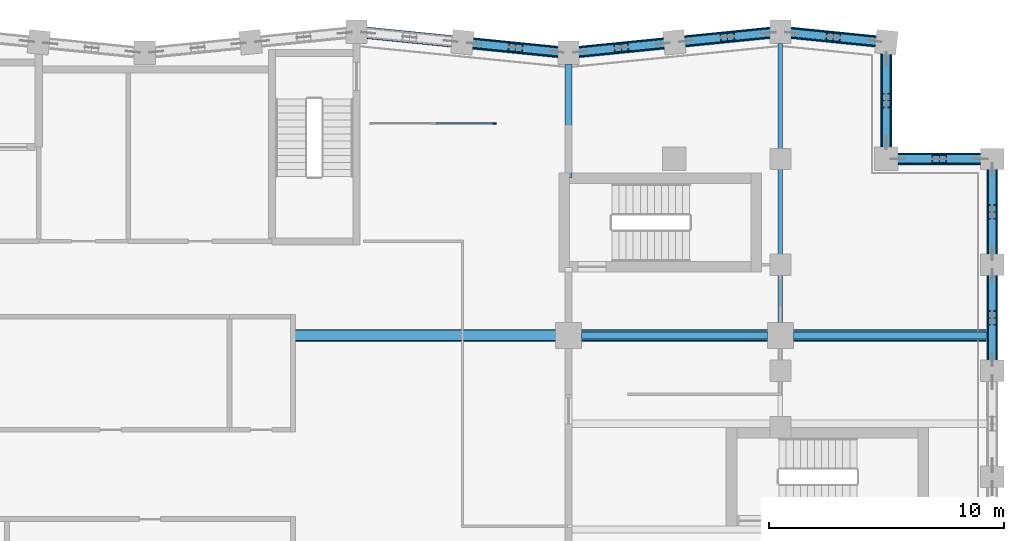
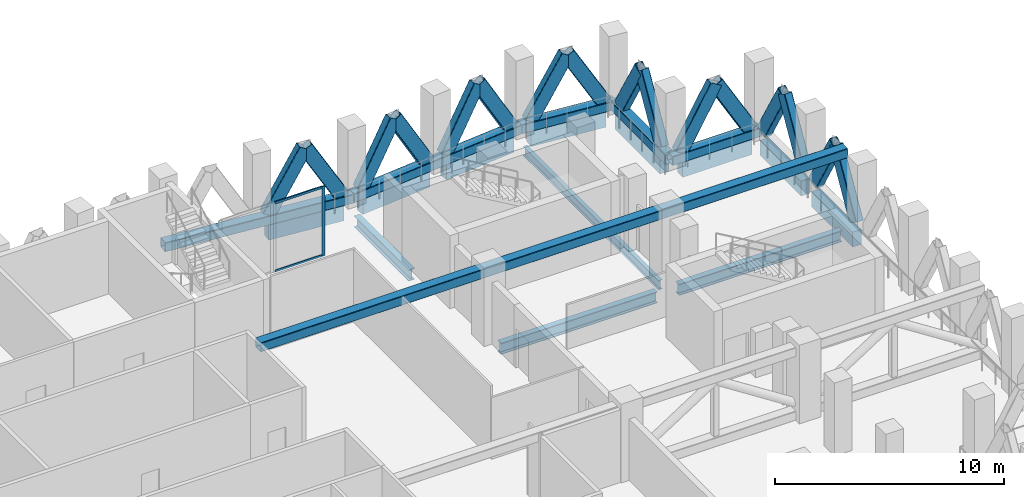
# One storey, part 7 of 18: 25 members, 12 beams, 1 element without a shape of its own.
"""IFC4 building model written with IfcOpenShell, lengths in metres."""

from ifc_helpers import new_model, si_unit, direction, frame, origin, origin_2d, place, context, subcontext, project, spatial, rectangle, hollow_rectangle, i_section, extrude, material, material_profile, profile_set, type_object, element, aggregate, save


model = new_model("IFC4")

# Units and contexts
model_context = context("Model", 3, precision=1e-05, world=origin(), true_north=direction((0.0, 1.0)))
body_context = subcontext(model_context, "Body", "Model", "MODEL_VIEW")
ifc_project = project(units=[si_unit("LENGTHUNIT", "METRE"), si_unit("AREAUNIT", "SQUARE_METRE"), si_unit("VOLUMEUNIT", "CUBIC_METRE"), si_unit("PLANEANGLEUNIT", "RADIAN"), si_unit("MASSUNIT", "GRAM", prefix="KILO")], contexts=[model_context])

# Site, building, storey
site_placement = place(None, origin())
site = spatial("IfcSite", under=ifc_project, at=site_placement, CompositionType="ELEMENT")
building_placement = place(site_placement, origin())
building = spatial("IfcBuilding", under=site, at=building_placement, Name="Brondeck Convention Tower", CompositionType="ELEMENT")
storey_placement = place(building_placement, frame((0.0, 0.0, 248.199951171875)))
storey = spatial("IfcBuildingStorey", under=building, at=storey_placement, Name="L61", CompositionType="ELEMENT", Elevation=248.199951171875)

# Curtain wall, members
ifc_material_1 = material(Name="Aluminium, bronze anodised", Category="aluminium")
curtain_wall_type = type_object("IfcCurtainWallType", Name="Band enclosure curtain wall", PredefinedType="NOTDEFINED", material=ifc_material_1)
curtain_wall_placement = place(storey_placement, origin())
curtain_wall = element("IfcCurtainWall", 1, at=curtain_wall_placement, inside=storey, type_object=curtain_wall_type, Name="ENV-L61-001-CW50", PredefinedType="NOTDEFINED")
ifc_material_profile_1 = material_profile(ifc_material_1, rectangle(XDim=0.06005859375, YDim=0.14990234375, at=origin_2d()), Name="CW5 mullion")
ifc_profile_set_1 = profile_set([ifc_material_profile_1], Name="Aluminium, bronze anodised")
member_type_1 = type_object("IfcMemberType", Name="CW5 mullion", PredefinedType="MULLION", material=ifc_profile_set_1)
member_1_placement = place(storey_placement, frame((32.85009765625, 60.0, 0.0), z_axis=(0.0, 0.0, 1.0), x_axis=(0.0, 1.0, 0.0)))
member_1 = element("IfcMember", 2, at=member_1_placement, type_object=member_type_1, Name="CW5 mullion 2", PredefinedType="MULLION", context=body_context, shape_type="SweptSolid", body=[
    extrude(rectangle(XDim=0.06005859375, YDim=0.14990234375, at=origin_2d()), origin(), (0.0, 0.0, 1.0), 3.699951171875),
])
ifc_material_profile_2 = material_profile(ifc_material_1, rectangle(XDim=0.06005859375, YDim=0.1201171875, at=origin_2d()), Name="CW5 transom")
ifc_profile_set_2 = profile_set([ifc_material_profile_2], Name="Aluminium, bronze anodised")
member_type_2 = type_object("IfcMemberType", Name="CW5 transom", PredefinedType="USERDEFINED", material=ifc_profile_set_2)
member_2_placement = place(storey_placement, frame((30.389892578125, 60.0, 0.030029296875), z_axis=(1.0, 0.0, 0.0), x_axis=(0.0, 1.0, 0.0)))
member_2 = element("IfcMember", 3, at=member_2_placement, type_object=member_type_2, Name="CW5 transom 1.1", ObjectType="TRANSOM", PredefinedType="USERDEFINED", context=body_context, shape_type="SweptSolid", body=[
    extrude(rectangle(XDim=0.06005859375, YDim=0.1201171875, at=origin_2d()), origin(), (0.0, 0.0, 1.0), 2.43017578125),
])
member_3_placement = place(storey_placement, frame((30.389892578125, 60.0, 3.670166015625), z_axis=(1.0, 0.0, 0.0), x_axis=(0.0, 1.0, 0.0)))
member_3 = element("IfcMember", 4, at=member_3_placement, type_object=member_type_2, Name="CW5 transom 1.2", ObjectType="TRANSOM", PredefinedType="USERDEFINED", context=body_context, shape_type="SweptSolid", body=[
    extrude(rectangle(XDim=0.06005859375, YDim=0.1201171875, at=origin_2d()), origin(), (0.0, 0.0, 1.0), 2.43017578125),
])
aggregate(curtain_wall, [member_1, member_2, member_3])

# Members
ifc_material_2 = material(Name="Steel S460", Category="steel")
ifc_material_profile_3 = material_profile(ifc_material_2, hollow_rectangle(XDim=0.39990234375, YDim=0.699951171875, WallThickness=0.030029296875, InnerFilletRadius=0.030029296875, OuterFilletRadius=0.06005859375, at=origin_2d()), Name="RHS 700x400x30")
ifc_profile_set_3 = profile_set([ifc_material_profile_3], Name="Steel S460")
member_type_3 = type_object("IfcMemberType", Name="Chevron brace RHS 700x400x30", PredefinedType="BRACE", material=ifc_profile_set_3)
for number, where, z_axis, x_axis, name in (
    (5, (54.0, 49.989013671875, 0.5), (0.0, 0.500008478926, 0.866020508419), (-1.0, 0.0, 0.0), "Belt truss BT-61-19 diagonal"),
    (6, (54.0, 53.510986328125, 0.5), (0.0, -0.500008478926, 0.866020508419), (1.0, 0.0, 0.0), "Belt truss BT-61-19 diagonal"),
    (7, (54.0, 54.489013671875, 0.5), (0.0, 0.500008478926, 0.866020508419), (-1.0, 0.0, 0.0), "Belt truss BT-61-20 diagonal"),
    (8, (54.0, 58.010986328125, 0.5), (0.0, -0.500008478926, 0.866020508419), (1.0, 0.0, 0.0), "Belt truss BT-61-20 diagonal"),
    (9, (53.510986328125, 58.5, 0.5), (-0.500008478926, 0.0, 0.866020508419), (0.0, -1.0, 0.0), "Belt truss BT-61-21 diagonal"),
    (10, (49.989013671875, 58.5, 0.5), (0.500008478926, 0.0, 0.866020508419), (0.0, 1.0, 0.0), "Belt truss BT-61-21 diagonal"),
    (11, (49.5, 59.214111328125, 0.5), (0.0, 0.500008478926, 0.866020508419), (-1.0, 0.0, 0.0), "Belt truss BT-61-22 diagonal"),
):
    element("IfcMember", number, at=place(storey_placement, frame(where, z_axis=z_axis, x_axis=x_axis)), inside=storey, type_object=member_type_3, Name=name, PredefinedType="BRACE", context=body_context, shape_type="SweptSolid", body=[
        extrude(hollow_rectangle(XDim=0.39990234375, YDim=0.699951171875, WallThickness=0.030029296875, InnerFilletRadius=0.030029296875, OuterFilletRadius=0.06005859375, at=origin_2d()), origin(), (0.0, 0.0, 1.0), 3.52197265625),
    ])
member_4_placement = place(storey_placement, frame((49.5, 62.73583984375, 0.5), z_axis=(0.0, -0.499956486466, 0.866050524878), x_axis=(1.0, 0.0, 0.0)))
element("IfcMember", 12, at=member_4_placement, inside=storey, type_object=member_type_3, Name="Belt truss BT-61-22 diagonal", PredefinedType="BRACE", context=body_context, shape_type="SweptSolid", body=[
    extrude(hollow_rectangle(XDim=0.39990234375, YDim=0.699951171875, WallThickness=0.030029296875, InnerFilletRadius=0.030029296875, OuterFilletRadius=0.06005859375, at=origin_2d()), origin(), (0.0, 0.0, 1.0), 3.521728515625),
])
for number, where, z_axis, x_axis, name in (
    (13, (49.002197265625, 63.499755859375, 0.5), (-0.497515949904, 0.049772391254, 0.866025743647), (-0.099544899705, -0.995033071281, 0.0), "Belt truss BT-61-23 diagonal"),
    (14, (45.497802734375, 63.85009765625, 0.5), (0.49751766528, -0.049703241745, 0.866028729601), (0.099407628771, 0.995046794549, 0.0), "Belt truss BT-61-23 diagonal"),
    (15, (44.502197265625, 63.85009765625, 0.5), (-0.49751766528, -0.049703241745, 0.866028729601), (0.099407628771, -0.995046794549, 0.0), "Belt truss BT-61-24 diagonal"),
    (16, (40.997802734375, 63.499755859375, 0.5), (0.497515949904, 0.049772391254, 0.866025743647), (-0.099544899705, 0.995033071281, 0.0), "Belt truss BT-61-24 diagonal"),
    (17, (40.002197265625, 63.400146484375, 0.5), (-0.49751766528, -0.049703241745, 0.866028729601), (0.099407628771, -0.995046794549, 0.0), "Belt truss BT-61-25 diagonal"),
    (18, (36.497802734375, 63.0498046875, 0.5), (0.497515949904, 0.049772391254, 0.866025743647), (-0.099544899705, 0.995033071281, 0.0), "Belt truss BT-61-25 diagonal"),
    (19, (35.502197265625, 63.0498046875, 0.5), (-0.497515949904, 0.049772391254, 0.866025743647), (-0.099544899705, -0.995033071281, 0.0), "Belt truss BT-61-26 diagonal"),
    (20, (31.997802734375, 63.400146484375, 0.5), (0.49751766528, -0.049703241745, 0.866028729601), (0.099407628771, 0.995046794549, 0.0), "Belt truss BT-61-26 diagonal"),
):
    element("IfcMember", number, at=place(storey_placement, frame(where, z_axis=z_axis, x_axis=x_axis)), inside=storey, type_object=member_type_3, Name=name, PredefinedType="BRACE", context=body_context, shape_type="SweptSolid", body=[
        extrude(hollow_rectangle(XDim=0.39990234375, YDim=0.699951171875, WallThickness=0.030029296875, InnerFilletRadius=0.030029296875, OuterFilletRadius=0.06005859375, at=origin_2d()), origin(), (0.0, 0.0, 1.0), 3.52197265625),
    ])

# Beams
ifc_material_3 = material(Name="Steel S355", Category="steel")
ifc_material_profile_4 = material_profile(ifc_material_3, i_section(OverallWidth=0.199951171875, OverallDepth=0.5, WebThickness=0.01025390625, FlangeThickness=0.01611328125, FilletRadius=0.02099609375, at=origin_2d()), Name="IPE 500")
ifc_profile_set_4 = profile_set([ifc_material_profile_4], Name="Steel S355")
beam_type_1 = type_object("IfcBeamType", Name="Floor beam IPE 500", PredefinedType="BEAM", material=ifc_profile_set_4)
beam_1_placement = place(storey_placement, frame((45.0, 51.550048828125, -0.699951171875), z_axis=(0.0, 1.0, 0.0), x_axis=(-1.0, 0.0, 0.0)))
element("IfcBeam", 21, at=beam_1_placement, inside=storey, type_object=beam_type_1, Name="STR-FB-L61-002", PredefinedType="BEAM", context=body_context, shape_type="SweptSolid", body=[
    extrude(i_section(OverallWidth=0.199951171875, OverallDepth=0.5, WebThickness=0.01025390625, FlangeThickness=0.01611328125, FilletRadius=0.02099609375, at=origin_2d()), origin(), (0.0, 0.0, 1.0), 11.849853515625),
])
ifc_material_profile_5 = material_profile(ifc_material_3, i_section(OverallWidth=0.300048828125, OverallDepth=0.60009765625, WebThickness=0.015380859375, FlangeThickness=0.030029296875, FilletRadius=0.027099609375, at=origin_2d()), Name="HEB 600")
ifc_profile_set_5 = profile_set([ifc_material_profile_5], Name="Steel S355")
beam_type_2 = type_object("IfcBeamType", Name="Girder HEB 600", PredefinedType="BEAM", material=ifc_profile_set_5)
beam_2_placement = place(storey_placement, frame((36.550048828125, 51.0, -0.75), z_axis=(1.0, 0.0, 0.0), x_axis=(0.0, 1.0, 0.0)))
element("IfcBeam", 22, at=beam_2_placement, inside=storey, type_object=beam_type_2, Name="STR-GR-L61-003", PredefinedType="BEAM", context=body_context, shape_type="SweptSolid", body=[
    extrude(i_section(OverallWidth=0.300048828125, OverallDepth=0.60009765625, WebThickness=0.015380859375, FlangeThickness=0.030029296875, FilletRadius=0.027099609375, at=origin_2d()), origin(), (0.0, 0.0, 1.0), 7.89990234375),
])
beam_3_placement = place(storey_placement, frame((45.550048828125, 51.0, -0.75), z_axis=(1.0, 0.0, 0.0), x_axis=(0.0, 1.0, 0.0)))
element("IfcBeam", 23, at=beam_3_placement, inside=storey, type_object=beam_type_2, Name="STR-GR-L61-004", PredefinedType="BEAM", context=body_context, shape_type="SweptSolid", body=[
    extrude(i_section(OverallWidth=0.300048828125, OverallDepth=0.60009765625, WebThickness=0.015380859375, FlangeThickness=0.030029296875, FilletRadius=0.027099609375, at=origin_2d()), origin(), (0.0, 0.0, 1.0), 8.224853515625),
])
beam_4_placement = place(storey_placement, frame((36.0, 57.719970703125, -0.75), z_axis=(0.0, 1.0, 0.0), x_axis=(-1.0, 0.0, 0.0)))
element("IfcBeam", 24, at=beam_4_placement, inside=storey, type_object=beam_type_2, Name="STR-GR-L61-008", PredefinedType="BEAM", context=body_context, shape_type="SweptSolid", body=[
    extrude(i_section(OverallWidth=0.300048828125, OverallDepth=0.60009765625, WebThickness=0.015380859375, FlangeThickness=0.030029296875, FilletRadius=0.027099609375, at=origin_2d()), origin(), (0.0, 0.0, 1.0), 4.780029296875),
])
ifc_material_4 = material(Name="Concrete C50/60", Category="concrete")
ifc_material_profile_6 = material_profile(ifc_material_4, rectangle(XDim=0.449951171875, YDim=0.800048828125, at=origin_2d()), Name="Precast spandrel 450x800 Concrete C50/60")
ifc_profile_set_6 = profile_set([ifc_material_profile_6], Name="Concrete C50/60")
beam_type_3 = type_object("IfcBeamType", Name="Precast spandrel 450x800 Concrete C50/60", PredefinedType="SPANDREL", material=ifc_profile_set_6)
for number, where, z_axis, x_axis, name in (
    (25, (54.0, 49.949951171875, -0.39990234375), (0.0, 1.0, 0.0), (-1.0, 0.0, 0.0), "STR-SP-L61-019"),
    (26, (54.0, 54.449951171875, -0.39990234375), (0.0, 1.0, 0.0), (-1.0, 0.0, 0.0), "STR-SP-L61-020"),
):
    element("IfcBeam", number, at=place(storey_placement, frame(where, z_axis=z_axis, x_axis=x_axis)), inside=storey, type_object=beam_type_3, Name=name, PredefinedType="SPANDREL", context=body_context, shape_type="SweptSolid", body=[
        extrude(rectangle(XDim=0.449951171875, YDim=0.800048828125, at=origin_2d()), origin(), (0.0, 0.0, 1.0), 3.60009765625),
    ])
beam_5_placement = place(storey_placement, frame((53.5, 58.5, -0.39990234375), z_axis=(-1.0, 0.0, 0.0), x_axis=(0.0, -1.0, 0.0)))
element("IfcBeam", 27, at=beam_5_placement, inside=storey, type_object=beam_type_3, Name="STR-SP-L61-021", PredefinedType="SPANDREL", context=body_context, shape_type="SweptSolid", body=[
    extrude(rectangle(XDim=0.449951171875, YDim=0.800048828125, at=origin_2d()), origin(), (0.0, 0.0, 1.0), 3.5),
])
beam_6_placement = place(storey_placement, frame((49.5, 59.0, -0.39990234375), z_axis=(0.0, 1.0, 0.0), x_axis=(-1.0, 0.0, 0.0)))
element("IfcBeam", 28, at=beam_6_placement, inside=storey, type_object=beam_type_3, Name="STR-SP-L61-022", PredefinedType="SPANDREL", context=body_context, shape_type="SweptSolid", body=[
    extrude(rectangle(XDim=0.449951171875, YDim=0.800048828125, at=origin_2d()), origin(), (0.0, 0.0, 1.0), 3.947509765625),
])
for number, where, z_axis, x_axis, name in (
    (29, (49.05224609375, 63.494873046875, -0.39990234375), (-0.995040528141, 0.099470334057, 0.0), (-0.099470334057, -0.995040528141, 0.0), "STR-SP-L61-023"),
    (30, (44.550048828125, 63.85498046875, -0.39990234375), (-0.995040528141, -0.099470334057, 0.0), (0.099470334057, -0.995040528141, 0.0), "STR-SP-L61-024"),
    (31, (40.05224609375, 63.4052734375, -0.39990234375), (-0.995033851182, -0.099537103649, 0.0), (0.099537103649, -0.995033851182, 0.0), "STR-SP-L61-025"),
    (32, (35.550048828125, 63.044921875, -0.39990234375), (-0.995033851182, 0.099537103649, 0.0), (-0.099537103649, -0.995033851182, 0.0), "STR-SP-L61-026"),
):
    element("IfcBeam", number, at=place(storey_placement, frame(where, z_axis=z_axis, x_axis=x_axis)), inside=storey, type_object=beam_type_3, Name=name, PredefinedType="SPANDREL", context=body_context, shape_type="SweptSolid", body=[
        extrude(rectangle(XDim=0.449951171875, YDim=0.800048828125, at=origin_2d()), origin(), (0.0, 0.0, 1.0), 3.620361328125),
    ])

# Members
ifc_material_profile_7 = material_profile(ifc_material_2, hollow_rectangle(XDim=0.5, YDim=0.5, WallThickness=0.02490234375, InnerFilletRadius=0.02490234375, OuterFilletRadius=0.050048828125, at=origin_2d()), Name="RHS 500x500x25")
ifc_profile_set_7 = profile_set([ifc_material_profile_7], Name="Steel S460")
member_type_4 = type_object("IfcMemberType", Name="Truss chord RHS 500x500x25", PredefinedType="CHORD", material=ifc_profile_set_7)
member_5_placement = place(storey_placement, frame((54.0, 58.5, 0.25), z_axis=(-1.0, 0.0, 0.0), x_axis=(0.0, -1.0, 0.0)))
element("IfcMember", 33, at=member_5_placement, inside=storey, type_object=member_type_4, Name="Belt truss BT-61-10 chord", PredefinedType="CHORD", context=body_context, shape_type="SweptSolid", body=[
    extrude(hollow_rectangle(XDim=0.5, YDim=0.5, WallThickness=0.02490234375, InnerFilletRadius=0.02490234375, OuterFilletRadius=0.050048828125, at=origin_2d()), origin(), (0.0, 0.0, 1.0), 4.5),
])
member_6_placement = place(storey_placement, frame((49.5, 58.5, 0.25), z_axis=(0.0, 1.0, 0.0), x_axis=(-1.0, 0.0, 0.0)))
element("IfcMember", 34, at=member_6_placement, inside=storey, type_object=member_type_4, Name="Belt truss BT-61-11 chord", PredefinedType="CHORD", context=body_context, shape_type="SweptSolid", body=[
    extrude(hollow_rectangle(XDim=0.5, YDim=0.5, WallThickness=0.02490234375, InnerFilletRadius=0.02490234375, OuterFilletRadius=0.050048828125, at=origin_2d()), origin(), (0.0, 0.0, 1.0), 4.949951171875),
])
member_7_placement = place(storey_placement, frame((49.5, 63.449951171875, 0.25), z_axis=(-0.995038259148, 0.099493029059, 0.0), x_axis=(-0.099493029059, -0.995038259148, 0.0)))
element("IfcMember", 35, at=member_7_placement, inside=storey, type_object=member_type_4, Name="Belt truss BT-61-12 chord", PredefinedType="CHORD", context=body_context, shape_type="SweptSolid", body=[
    extrude(hollow_rectangle(XDim=0.5, YDim=0.5, WallThickness=0.02490234375, InnerFilletRadius=0.02490234375, OuterFilletRadius=0.050048828125, at=origin_2d()), origin(), (0.0, 0.0, 1.0), 4.5224609375),
])
for number, where, z_axis, x_axis, name in (
    (36, (45.0, 63.89990234375, 0.25), (-0.995038259148, -0.099493029059, 0.0), (0.099493029059, -0.995038259148, 0.0), "Belt truss BT-61-13 chord"),
    (37, (36.0, 63.0, 0.25), (-0.995038259148, 0.099493029059, 0.0), (-0.099493029059, -0.995038259148, 0.0), "Belt truss BT-61-14 chord"),
):
    element("IfcMember", number, at=place(storey_placement, frame(where, z_axis=z_axis, x_axis=x_axis)), inside=storey, type_object=member_type_4, Name=name, PredefinedType="CHORD", context=body_context, shape_type="SweptSolid", body=[
        extrude(hollow_rectangle(XDim=0.5, YDim=0.5, WallThickness=0.02490234375, InnerFilletRadius=0.02490234375, OuterFilletRadius=0.050048828125, at=origin_2d()), origin(), (0.0, 0.0, 1.0), 9.044921875),
    ])
member_8_placement = place(storey_placement, frame((24.3701171875, 51.0, 3.650146484375), z_axis=(1.0, 0.0, 0.0), x_axis=(0.0, 1.0, 0.0)))
element("IfcMember", 38, at=member_8_placement, inside=storey, type_object=member_type_4, Name="Outrigger truss OT-61-A2 chord", PredefinedType="CHORD", context=body_context, shape_type="SweptSolid", body=[
    extrude(hollow_rectangle(XDim=0.5, YDim=0.5, WallThickness=0.02490234375, InnerFilletRadius=0.02490234375, OuterFilletRadius=0.050048828125, at=origin_2d()), origin(), (0.0, 0.0, 1.0), 29.6298828125),
])

save(model, "model.ifc")
